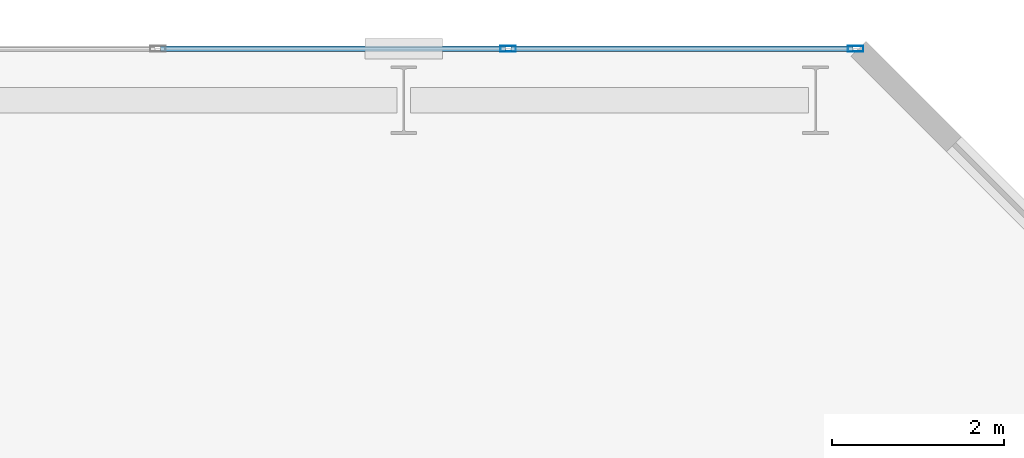
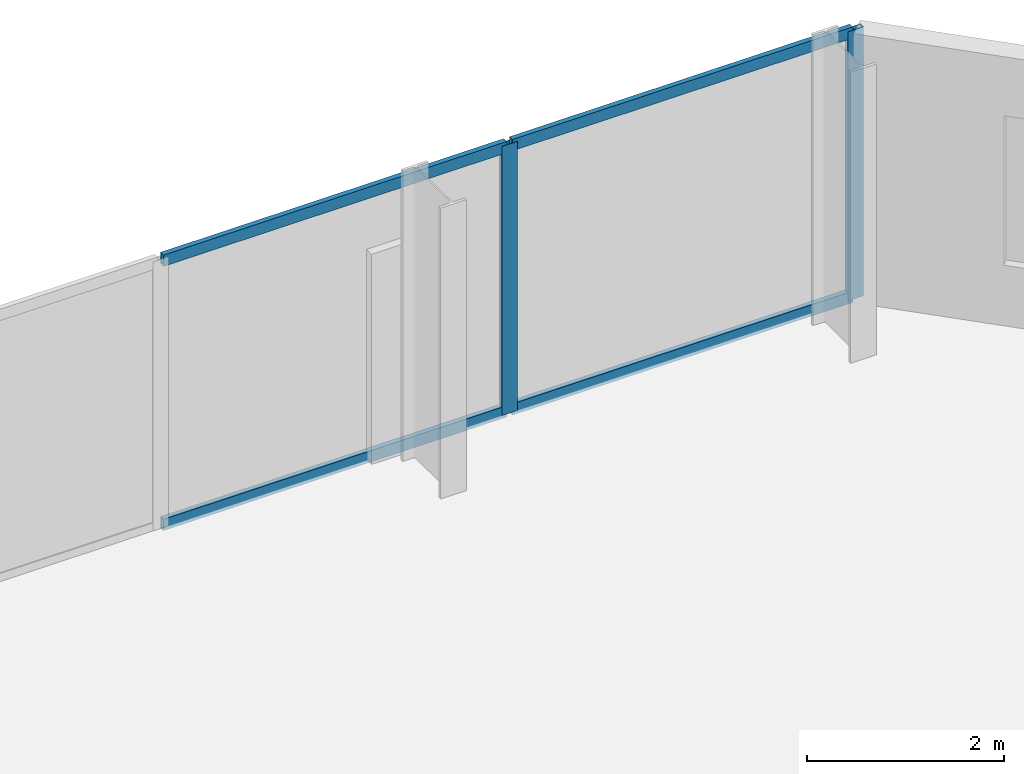
# One storey, part 27 of 33: 6 members, 1 element without a shape of its own.
"""IFC4 building model written with IfcOpenShell, lengths in metres."""

from ifc_helpers import new_model, si_unit, direction, frame, origin, origin_2d, place, context, subcontext, project, spatial, hollow_rectangle, extrude, material, layer, layer_set, material_profile, profile_set, type_object, element, aggregate, save


model = new_model("IFC4")

# Units and contexts
model_context = context("Model", 3, precision=1e-05, world=origin(), true_north=direction((0.0, 1.0)))
body_context = subcontext(model_context, "Body", "Model", "MODEL_VIEW")
ifc_project = project(units=[si_unit("LENGTHUNIT", "METRE"), si_unit("AREAUNIT", "SQUARE_METRE"), si_unit("VOLUMEUNIT", "CUBIC_METRE"), si_unit("PLANEANGLEUNIT", "RADIAN"), si_unit("MASSUNIT", "GRAM", prefix="KILO")], contexts=[model_context])

# Site, building, storey
site_placement = place(None, origin())
site = spatial("IfcSite", under=ifc_project, at=site_placement, CompositionType="ELEMENT")
building_placement = place(site_placement, origin())
building = spatial("IfcBuilding", under=site, at=building_placement, Name="Catumbela Crestline Tower", CompositionType="ELEMENT")
storey_placement = place(building_placement, frame((0.0, 0.0, 43.8)))
storey = spatial("IfcBuildingStorey", under=building, at=storey_placement, Name="L10", CompositionType="ELEMENT", Elevation=43.8)

# Curtain wall, members
ifc_material = material(Name="Aluminium alloy AW-6060-T66", Category="aluminium")
ifc_layer = layer(ifc_material, 0.18, Name="Aluminium alloy AW-6060-T66")
ifc_layer_set = layer_set([ifc_layer], Name="Aluminium alloy AW-6060-T66")
curtain_wall_type = type_object("IfcCurtainWallType", Name="CWU-Z1", PredefinedType="USERDEFINED", material=ifc_layer_set)
curtain_wall_placement = place(storey_placement, origin())
curtain_wall = element("IfcCurtainWall", 1, at=curtain_wall_placement, inside=storey, type_object=curtain_wall_type, Name="L10 Unitised Curtain Wall CW-L10-E7S1", ObjectType="UNITISED", PredefinedType="USERDEFINED")
ifc_material_profile_1 = material_profile(ifc_material, hollow_rectangle(XDim=0.065, YDim=0.18, WallThickness=0.004, at=origin_2d()), Name="ALU 180x65x4")
ifc_profile_set_1 = profile_set([ifc_material_profile_1], Name="Aluminium alloy AW-6060-T66")
member_type_1 = type_object("IfcMemberType", Name="MUL-180X65", PredefinedType="MULLION", material=ifc_profile_set_1)
member_1_placement = place(storey_placement, frame((52.4675, 48.0, 0.0), z_axis=(0.0, 0.0, 1.0), x_axis=(0.0, -1.0, 0.0)))
member_1 = element("IfcMember", 2, at=member_1_placement, type_object=member_type_1, Name="CWU-Z1 mullion 1", PredefinedType="MULLION", context=body_context, shape_type="SweptSolid", body=[
    extrude(hollow_rectangle(XDim=0.065, YDim=0.18, WallThickness=0.004, at=origin_2d()), origin(), (0.0, 0.0, 1.0), 3.33),
])
member_2_placement = place(storey_placement, frame((48.4167, 48.0, 0.0), z_axis=(0.0, 0.0, 1.0), x_axis=(0.0, -1.0, 0.0)))
member_2 = element("IfcMember", 3, at=member_2_placement, type_object=member_type_1, Name="CWU-Z1 mullion 2", PredefinedType="MULLION", context=body_context, shape_type="SweptSolid", body=[
    extrude(hollow_rectangle(XDim=0.065, YDim=0.18, WallThickness=0.004, at=origin_2d()), origin(), (0.0, 0.0, 1.0), 3.33),
])
ifc_material_profile_2 = material_profile(ifc_material, hollow_rectangle(XDim=0.06, YDim=0.14, WallThickness=0.004, at=origin_2d()), Name="ALU 140x60x4")
ifc_profile_set_2 = profile_set([ifc_material_profile_2], Name="Aluminium alloy AW-6060-T66")
member_type_2 = type_object("IfcMemberType", Name="TRN-140X60", PredefinedType="USERDEFINED", material=ifc_profile_set_2)
member_3_placement = place(storey_placement, frame((52.435, 48.0, 0.03), z_axis=(-1.0, 0.0, 0.0), x_axis=(0.0, -1.0, 0.0)))
member_3 = element("IfcMember", 4, at=member_3_placement, type_object=member_type_2, Name="CWU-Z1 transom 1.1", ObjectType="TRANSOM", PredefinedType="USERDEFINED", context=body_context, shape_type="SweptSolid", body=[
    extrude(hollow_rectangle(XDim=0.06, YDim=0.14, WallThickness=0.004, at=origin_2d()), origin(), (0.0, 0.0, 1.0), 3.9858),
])
member_4_placement = place(storey_placement, frame((52.435, 48.0, 3.3), z_axis=(-1.0, 0.0, 0.0), x_axis=(0.0, -1.0, 0.0)))
member_4 = element("IfcMember", 5, at=member_4_placement, type_object=member_type_2, Name="CWU-Z1 transom 1.2", ObjectType="TRANSOM", PredefinedType="USERDEFINED", context=body_context, shape_type="SweptSolid", body=[
    extrude(hollow_rectangle(XDim=0.06, YDim=0.14, WallThickness=0.004, at=origin_2d()), origin(), (0.0, 0.0, 1.0), 3.9858),
])
member_5_placement = place(storey_placement, frame((48.3842, 48.0, 0.03), z_axis=(-1.0, 0.0, 0.0), x_axis=(0.0, -1.0, 0.0)))
member_5 = element("IfcMember", 6, at=member_5_placement, type_object=member_type_2, Name="CWU-Z1 transom 2.1", ObjectType="TRANSOM", PredefinedType="USERDEFINED", context=body_context, shape_type="SweptSolid", body=[
    extrude(hollow_rectangle(XDim=0.06, YDim=0.14, WallThickness=0.004, at=origin_2d()), origin(), (0.0, 0.0, 1.0), 4.0184),
])
member_6_placement = place(storey_placement, frame((48.3842, 48.0, 3.3), z_axis=(-1.0, 0.0, 0.0), x_axis=(0.0, -1.0, 0.0)))
member_6 = element("IfcMember", 7, at=member_6_placement, type_object=member_type_2, Name="CWU-Z1 transom 2.2", ObjectType="TRANSOM", PredefinedType="USERDEFINED", context=body_context, shape_type="SweptSolid", body=[
    extrude(hollow_rectangle(XDim=0.06, YDim=0.14, WallThickness=0.004, at=origin_2d()), origin(), (0.0, 0.0, 1.0), 4.0184),
])
aggregate(curtain_wall, [member_1, member_2, member_3, member_4, member_5, member_6])

save(model, "model.ifc")
